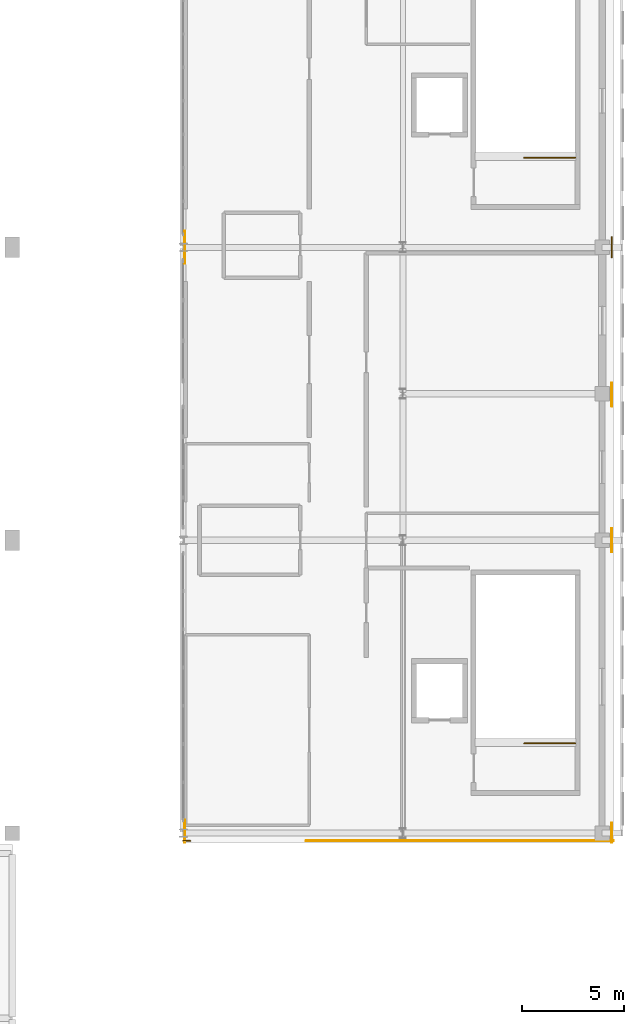
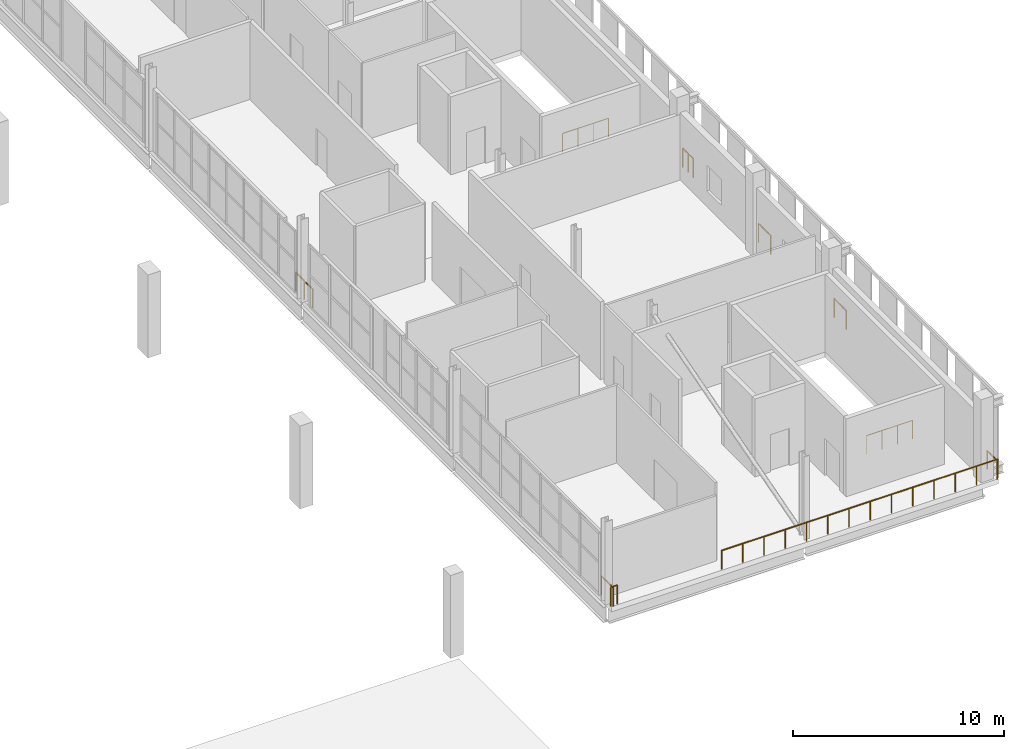
# One storey, part 48 of 51: 12 railings.
"""IFC4 building model written with IfcOpenShell, lengths in metres."""

from ifc_helpers import new_model, si_unit, direction, frame, origin, origin_2d, place, context, subcontext, project, spatial, circle, extrude, material, type_object, element, save


model = new_model("IFC4")

# Units and contexts
model_context = context("Model", 3, precision=1e-05, world=origin(), true_north=direction((0.0, 1.0)))
body_context = subcontext(model_context, "Body", "Model", "MODEL_VIEW")
ifc_project = project(units=[si_unit("LENGTHUNIT", "METRE"), si_unit("AREAUNIT", "SQUARE_METRE"), si_unit("VOLUMEUNIT", "CUBIC_METRE"), si_unit("PLANEANGLEUNIT", "RADIAN"), si_unit("MASSUNIT", "GRAM", prefix="KILO")], contexts=[model_context])

# Site, building, storey
site_placement = place(None, origin())
site = spatial("IfcSite", under=ifc_project, at=site_placement, CompositionType="ELEMENT")
building_placement = place(site_placement, origin())
building = spatial("IfcBuilding", under=site, at=building_placement, Name="Koshinbarg Plaza Stadium", CompositionType="ELEMENT")
storey_placement = place(building_placement, frame((0.0, 0.0, 24.60009765625)))
storey = spatial("IfcBuildingStorey", under=building, at=storey_placement, Name="L05", CompositionType="ELEMENT", Elevation=24.60009765625)

# Railings
ifc_material_1 = material(Name="Toughened laminated glass and stainless steel sightline balustrade", Category="steel")
railing_type_1 = type_object("IfcRailingType", Name="RL-BOWL-1100", PredefinedType="BALUSTRADE", material=ifc_material_1)
railing_1_placement = place(storey_placement, frame((197.8798828125, 25.044921875, 0.0)))
element("IfcRailing", 1, at=railing_1_placement, inside=storey, type_object=railing_type_1, Name="L05 deck edge safety balustrade 0372", PredefinedType="BALUSTRADE", context=body_context, shape_type="SweptSolid", body=[
    extrude(circle(Radius=0.02392578125, at=origin_2d()), frame((0.0, 0.0, 1.076171875), z_axis=(0.0, 1.0, 0.0), x_axis=(-1.0, 0.0, 0.0)), (0.0, 0.0, 1.0), 1.095703125),
    extrude(circle(Radius=0.02099609375, at=origin_2d()), origin(), (0.0, 0.0, 1.0), 1.052001953125),
    extrude(circle(Radius=0.02099609375, at=origin_2d()), frame((0.0, 1.095703125, 0.0)), (0.0, 0.0, 1.0), 1.052001953125),
])
railing_2_placement = place(storey_placement, frame((197.8798828125, 53.5029296875, 0.0)))
element("IfcRailing", 2, at=railing_2_placement, inside=storey, type_object=railing_type_1, Name="L05 deck edge safety balustrade 0373", PredefinedType="BALUSTRADE", context=body_context, shape_type="SweptSolid", body=[
    extrude(circle(Radius=0.02392578125, at=origin_2d()), frame((0.0, 0.0, 1.076171875), z_axis=(0.0, 1.0, 0.0), x_axis=(-1.0, 0.0, 0.0)), (0.0, 0.0, 1.0), 0.797119140625),
    extrude(circle(Radius=0.02099609375, at=origin_2d()), origin(), (0.0, 0.0, 1.0), 1.052001953125),
    extrude(circle(Radius=0.02099609375, at=origin_2d()), frame((0.0, 0.797119140625, 0.0)), (0.0, 0.0, 1.0), 1.052001953125),
])
railing_3_placement = place(storey_placement, frame((218.875, 54.300048828125, 0.0)))
element("IfcRailing", 3, at=railing_3_placement, inside=storey, type_object=railing_type_1, Name="L05 deck edge safety balustrade 0374", PredefinedType="BALUSTRADE", context=body_context, shape_type="SweptSolid", body=[
    extrude(circle(Radius=0.02392578125, at=origin_2d()), frame((0.0, 0.0, 1.076171875), z_axis=(0.0, -1.0, 0.0), x_axis=(1.0, 0.0, 0.0)), (0.0, 0.0, 1.0), 0.49853515625),
    extrude(circle(Radius=0.02099609375, at=origin_2d()), origin(), (0.0, 0.0, 1.0), 1.052001953125),
    extrude(circle(Radius=0.02099609375, at=origin_2d()), frame((0.0, -0.49853515625, 0.0)), (0.0, 0.0, 1.0), 1.052001953125),
])
for number, where, name in (
    (4, (218.875, 47.634033203125, 0.0), "L05 deck edge safety balustrade 0375"),
    (5, (218.875, 40.469482421875, 0.0), "L05 deck edge safety balustrade 0376"),
):
    element("IfcRailing", number, at=place(storey_placement, frame(where)), inside=storey, type_object=railing_type_1, Name=name, PredefinedType="BALUSTRADE", context=body_context, shape_type="SweptSolid", body=[
        extrude(circle(Radius=0.02392578125, at=origin_2d()), frame((0.0, 0.0, 1.076171875), z_axis=(0.0, -1.0, 0.0), x_axis=(1.0, 0.0, 0.0)), (0.0, 0.0, 1.0), 1.146240234375),
        extrude(circle(Radius=0.02099609375, at=origin_2d()), origin(), (0.0, 0.0, 1.0), 1.052001953125),
        extrude(circle(Radius=0.02099609375, at=origin_2d()), frame((0.0, -1.146240234375, 0.0)), (0.0, 0.0, 1.0), 1.052001953125),
    ])
railing_4_placement = place(storey_placement, frame((218.875, 25.9912109375, 0.0)))
element("IfcRailing", 6, at=railing_4_placement, inside=storey, type_object=railing_type_1, Name="L05 deck edge safety balustrade 0377", PredefinedType="BALUSTRADE", context=body_context, shape_type="SweptSolid", body=[
    extrude(circle(Radius=0.02392578125, at=origin_2d()), frame((0.0, 0.0, 1.076171875), z_axis=(0.0, -1.0, 0.0), x_axis=(1.0, 0.0, 0.0)), (0.0, 0.0, 1.0), 0.9462890625),
    extrude(circle(Radius=0.02099609375, at=origin_2d()), origin(), (0.0, 0.0, 1.0), 1.052001953125),
    extrude(circle(Radius=0.02099609375, at=origin_2d()), frame((0.0, -0.9462890625, 0.0)), (0.0, 0.0, 1.0), 1.052001953125),
])
railing_5_placement = place(storey_placement, frame((218.955078125, 25.125, 0.0)))
element("IfcRailing", 7, at=railing_5_placement, inside=storey, type_object=railing_type_1, Name="L05 deck edge safety balustrade 0378", PredefinedType="BALUSTRADE", context=body_context, shape_type="SweptSolid", body=[
    extrude(circle(Radius=0.02392578125, at=origin_2d()), frame((0.0, 0.0, 1.076171875), z_axis=(-1.0, 0.0, 0.0), x_axis=(0.0, -1.0, 0.0)), (0.0, 0.0, 1.0), 15.097900390625),
    extrude(circle(Radius=0.02099609375, at=origin_2d()), origin(), (0.0, 0.0, 1.0), 1.052001953125),
    extrude(circle(Radius=0.02099609375, at=origin_2d()), frame((-1.161376953125, 0.0, 0.0)), (0.0, 0.0, 1.0), 1.052001953125),
    extrude(circle(Radius=0.02099609375, at=origin_2d()), frame((-2.32275390625, 0.0, 0.0)), (0.0, 0.0, 1.0), 1.052001953125),
    extrude(circle(Radius=0.02099609375, at=origin_2d()), frame((-3.484130859375, 0.0, 0.0)), (0.0, 0.0, 1.0), 1.052001953125),
    extrude(circle(Radius=0.02099609375, at=origin_2d()), frame((-4.6455078125, 0.0, 0.0)), (0.0, 0.0, 1.0), 1.052001953125),
    extrude(circle(Radius=0.02099609375, at=origin_2d()), frame((-5.806884765625, 0.0, 0.0)), (0.0, 0.0, 1.0), 1.052001953125),
    extrude(circle(Radius=0.02099609375, at=origin_2d()), frame((-6.96826171875, 0.0, 0.0)), (0.0, 0.0, 1.0), 1.052001953125),
    extrude(circle(Radius=0.02099609375, at=origin_2d()), frame((-8.129638671875, 0.0, 0.0)), (0.0, 0.0, 1.0), 1.052001953125),
    extrude(circle(Radius=0.02099609375, at=origin_2d()), frame((-9.291015625, 0.0, 0.0)), (0.0, 0.0, 1.0), 1.052001953125),
    extrude(circle(Radius=0.02099609375, at=origin_2d()), frame((-10.452392578125, 0.0, 0.0)), (0.0, 0.0, 1.0), 1.052001953125),
    extrude(circle(Radius=0.02099609375, at=origin_2d()), frame((-11.61376953125, 0.0, 0.0)), (0.0, 0.0, 1.0), 1.052001953125),
    extrude(circle(Radius=0.02099609375, at=origin_2d()), frame((-12.775146484375, 0.0, 0.0)), (0.0, 0.0, 1.0), 1.052001953125),
    extrude(circle(Radius=0.02099609375, at=origin_2d()), frame((-13.9365234375, 0.0, 0.0)), (0.0, 0.0, 1.0), 1.052001953125),
    extrude(circle(Radius=0.02099609375, at=origin_2d()), frame((-15.097900390625, 0.0, 0.0)), (0.0, 0.0, 1.0), 1.052001953125),
])
railing_6_placement = place(storey_placement, frame((198.14892578125, 25.125, 0.0)))
element("IfcRailing", 8, at=railing_6_placement, inside=storey, type_object=railing_type_1, Name="L05 deck edge safety balustrade 0379", PredefinedType="BALUSTRADE", context=body_context, shape_type="SweptSolid", body=[
    extrude(circle(Radius=0.02392578125, at=origin_2d()), frame((0.0, 0.0, 1.076171875), z_axis=(-1.0, 0.0, 0.0), x_axis=(0.0, -1.0, 0.0)), (0.0, 0.0, 1.0), 0.348876953125),
    extrude(circle(Radius=0.02099609375, at=origin_2d()), origin(), (0.0, 0.0, 1.0), 1.052001953125),
    extrude(circle(Radius=0.02099609375, at=origin_2d()), frame((-0.348876953125, 0.0, 0.0)), (0.0, 0.0, 1.0), 1.052001953125),
])
railing_7_placement = place(storey_placement, frame((197.8798828125, 54.300048828125, 0.0)))
element("IfcRailing", 9, at=railing_7_placement, inside=storey, type_object=railing_type_1, Name="L05 deck edge safety balustrade 0380", PredefinedType="BALUSTRADE", context=body_context, shape_type="SweptSolid", body=[
    extrude(circle(Radius=0.02392578125, at=origin_2d()), frame((0.0, 0.0, 1.076171875), z_axis=(0.0, 1.0, 0.0), x_axis=(-1.0, 0.0, 0.0)), (0.0, 0.0, 1.0), 0.800048828125),
    extrude(circle(Radius=0.02099609375, at=origin_2d()), origin(), (0.0, 0.0, 1.0), 1.052001953125),
    extrude(circle(Radius=0.02099609375, at=origin_2d()), frame((0.0, 0.800048828125, 0.0)), (0.0, 0.0, 1.0), 1.052001953125),
])
railing_8_placement = place(storey_placement, frame((218.875, 54.800048828125, 0.0)))
element("IfcRailing", 10, at=railing_8_placement, inside=storey, type_object=railing_type_1, Name="L05 deck edge safety balustrade 0385", PredefinedType="BALUSTRADE", context=body_context, shape_type="SweptSolid", body=[
    extrude(circle(Radius=0.02392578125, at=origin_2d()), frame((0.0, 0.0, 1.076171875), z_axis=(0.0, -1.0, 0.0), x_axis=(1.0, 0.0, 0.0)), (0.0, 0.0, 1.0), 0.5),
    extrude(circle(Radius=0.02099609375, at=origin_2d()), origin(), (0.0, 0.0, 1.0), 1.052001953125),
    extrude(circle(Radius=0.02099609375, at=origin_2d()), frame((0.0, -0.5, 0.0)), (0.0, 0.0, 1.0), 1.052001953125),
])
ifc_material_2 = material(Name="Galvanized painted steel guardrail", Category="steel")
railing_type_2 = type_object("IfcRailingType", Name="RL-GUARD-1100", PredefinedType="GUARDRAIL", material=ifc_material_2)
for number, where, name in (
    (11, (217.070068359375, 29.909912109375, 0.0), "L05 C07 top stairwell guard 1"),
    (12, (217.070068359375, 58.7099609375, 0.0), "L05 C08 top stairwell guard 1"),
):
    element("IfcRailing", number, at=place(storey_placement, frame(where)), inside=storey, type_object=railing_type_2, Name=name, PredefinedType="GUARDRAIL", context=body_context, shape_type="SweptSolid", body=[
        extrude(circle(Radius=0.02392578125, at=origin_2d()), frame((0.0, 0.0, 1.076171875), z_axis=(-1.0, 0.0, 0.0), x_axis=(0.0, -1.0, 0.0)), (0.0, 0.0, 1.0), 2.510009765625),
        extrude(circle(Radius=0.02099609375, at=origin_2d()), origin(), (0.0, 0.0, 1.0), 1.052001953125),
        extrude(circle(Radius=0.02099609375, at=origin_2d()), frame((-0.836669921875, 0.0, 0.0)), (0.0, 0.0, 1.0), 1.052001953125),
        extrude(circle(Radius=0.02099609375, at=origin_2d()), frame((-1.67333984375, 0.0, 0.0)), (0.0, 0.0, 1.0), 1.052001953125),
        extrude(circle(Radius=0.02099609375, at=origin_2d()), frame((-2.510009765625, 0.0, 0.0)), (0.0, 0.0, 1.0), 1.052001953125),
    ])

save(model, "model.ifc")
